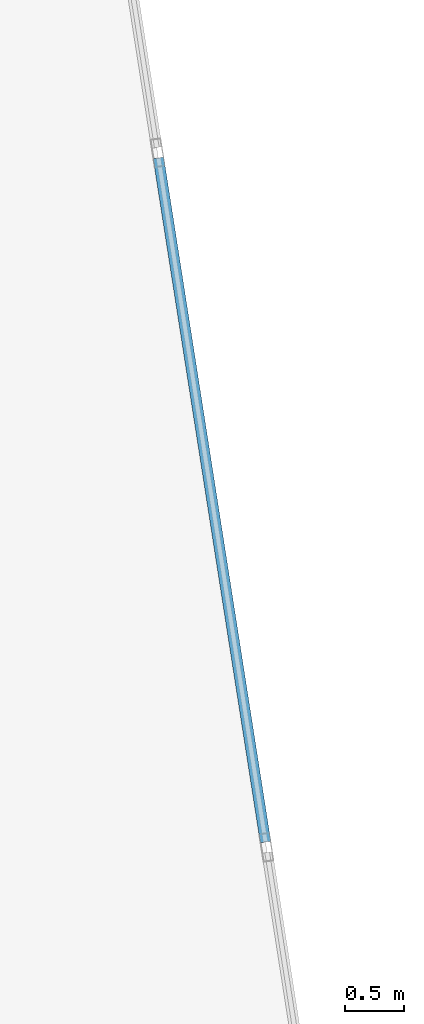
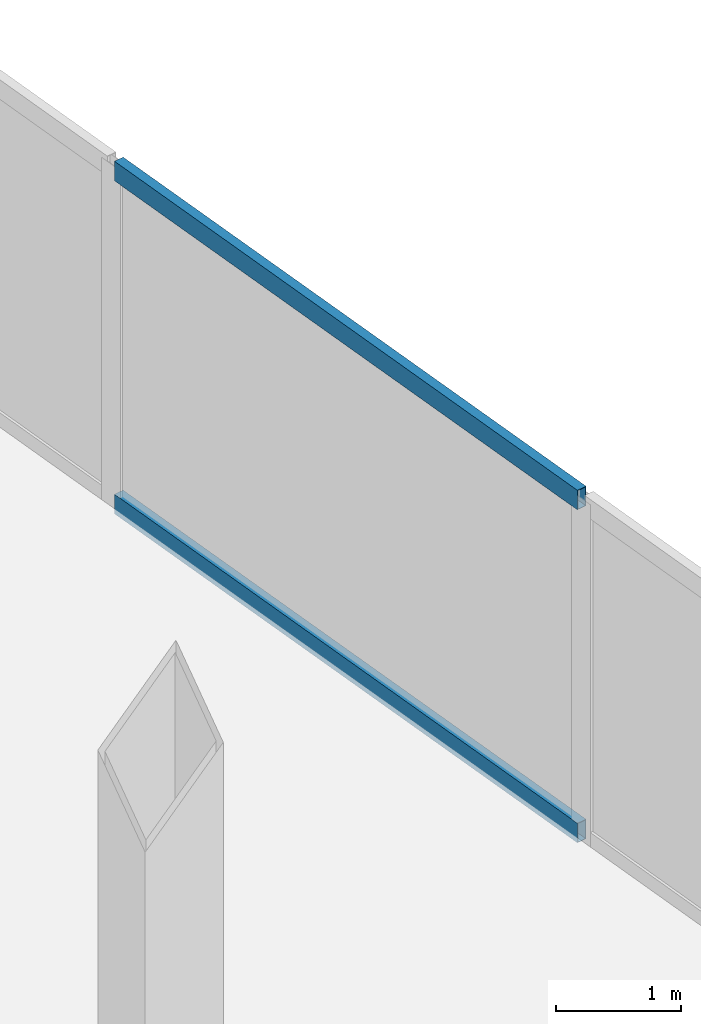
# One storey, part 8 of 17: 2 members, 1 element without a shape of its own.
"""IFC4 building model written with IfcOpenShell, lengths in metres."""

from ifc_helpers import new_model, si_unit, direction, frame, origin, origin_2d, place, context, subcontext, project, spatial, hollow_rectangle, extrude, material, material_profile, profile_set, type_object, element, aggregate, save


model = new_model("IFC4")

# Units and contexts
model_context = context("Model", 3, precision=1e-05, world=origin(), true_north=direction((0.0, 1.0)))
body_context = subcontext(model_context, "Body", "Model", "MODEL_VIEW")
ifc_project = project(units=[si_unit("LENGTHUNIT", "METRE"), si_unit("AREAUNIT", "SQUARE_METRE"), si_unit("VOLUMEUNIT", "CUBIC_METRE"), si_unit("PLANEANGLEUNIT", "RADIAN"), si_unit("MASSUNIT", "GRAM", prefix="KILO")], contexts=[model_context])

# Site, building, storey
site_placement = place(None, origin())
site = spatial("IfcSite", under=ifc_project, at=site_placement, CompositionType="ELEMENT")
building_placement = place(site_placement, origin())
building = spatial("IfcBuilding", under=site, at=building_placement, Name="Haldenkirk Collegiate Tower", CompositionType="ELEMENT")
storey_placement = place(building_placement, frame((0.0, 0.0, 367.800048828125)))
storey = spatial("IfcBuildingStorey", under=building, at=storey_placement, Name="L93", CompositionType="ELEMENT", Elevation=367.800048828125)

# Curtain wall, members
ifc_material = material(Name="Anodised architectural bronze aluminium", Category="aluminium")
curtain_wall_type = type_object("IfcCurtainWallType", Name="CW-SYS6-CROWN", PredefinedType="USERDEFINED", material=ifc_material)
curtain_wall_placement = place(storey_placement, origin())
curtain_wall = element("IfcCurtainWall", 1, at=curtain_wall_placement, inside=storey, type_object=curtain_wall_type, Name="L93 Closed crown ring ceramic-fritted bronze screen curtain wall", ObjectType="UNITISED CURTAIN WALL", PredefinedType="USERDEFINED")
ifc_material_profile = material_profile(ifc_material, hollow_rectangle(XDim=0.090087890625, YDim=0.18994140625, WallThickness=0.0048828125, at=origin_2d()), Name="CW-TRN-06")
ifc_profile_set = profile_set([ifc_material_profile], Name="Anodised architectural bronze aluminium")
member_type = type_object("IfcMemberType", Name="CW-TRN-06", PredefinedType="USERDEFINED", material=ifc_profile_set)
member_1_placement = place(storey_placement, frame((56.028564453125, 35.130126953125, 0.044921875), z_axis=(0.154710174658, -0.987959898912, 0.0), x_axis=(0.987959898912, 0.154710174658, 0.0)))
member_1 = element("IfcMember", 2, at=member_1_placement, type_object=member_type, Name="CW-06 transom 3.1", ObjectType="TRANSOM", PredefinedType="USERDEFINED", context=body_context, shape_type="SweptSolid", body=[
    extrude(hollow_rectangle(XDim=0.090087890625, YDim=0.18994140625, WallThickness=0.0048828125, at=origin_2d()), origin(), (0.0, 0.0, 1.0), 5.876708984375),
])
member_2_placement = place(storey_placement, frame((56.028564453125, 35.130126953125, 3.284912109375), z_axis=(0.154710174658, -0.987959898912, 0.0), x_axis=(0.987959898912, 0.154710174658, 0.0)))
member_2 = element("IfcMember", 3, at=member_2_placement, type_object=member_type, Name="CW-06 transom 3.2", ObjectType="TRANSOM", PredefinedType="USERDEFINED", context=body_context, shape_type="SweptSolid", body=[
    extrude(hollow_rectangle(XDim=0.090087890625, YDim=0.18994140625, WallThickness=0.0048828125, at=origin_2d()), origin(), (0.0, 0.0, 1.0), 5.876708984375),
])
aggregate(curtain_wall, [member_1, member_2])

save(model, "model.ifc")
